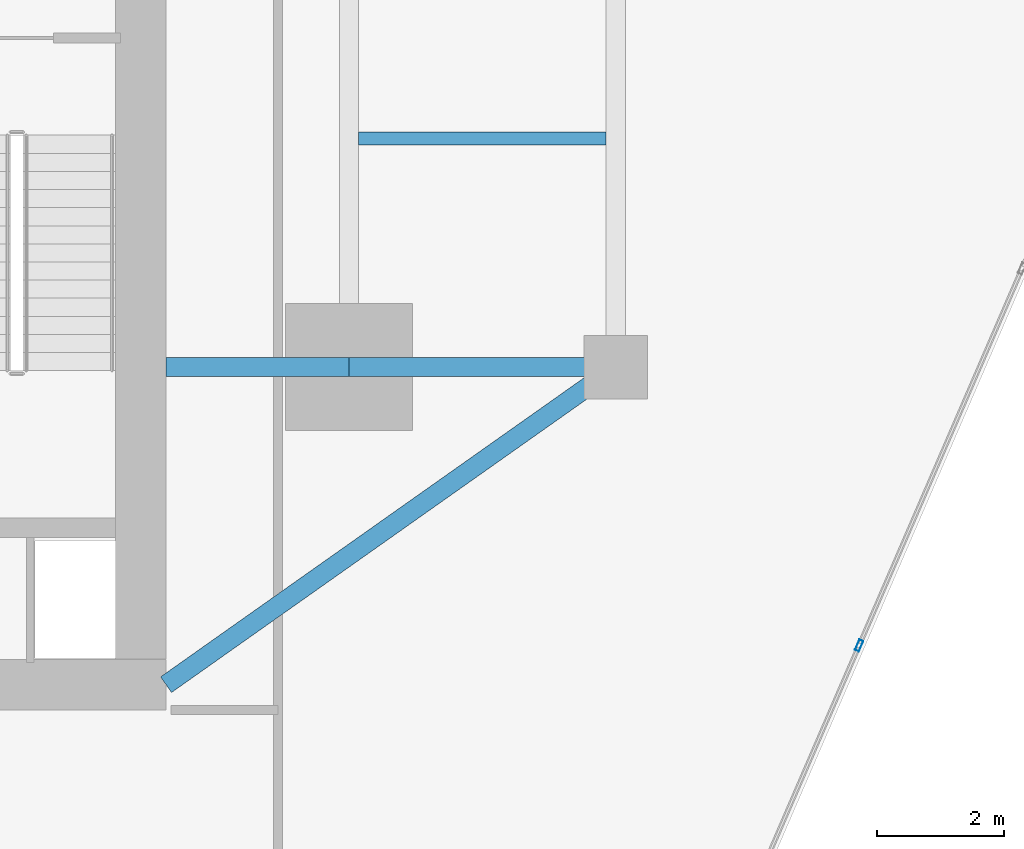
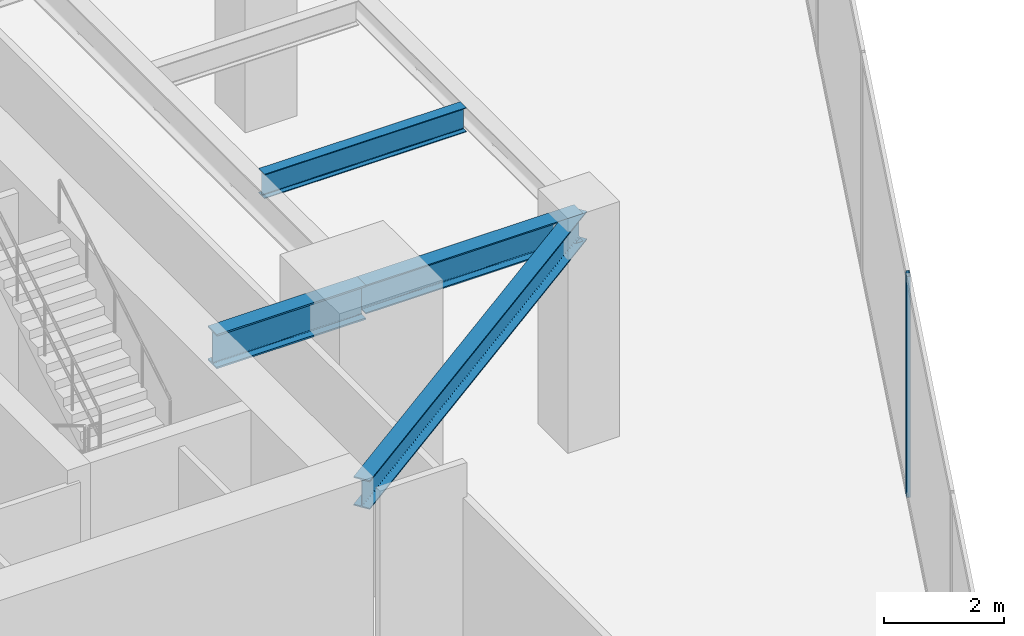
# One storey, part 9 of 24: 4 beams, 1 member, 1 element without a shape of its own.
"""IFC4 building model written with IfcOpenShell, lengths in metres."""

from ifc_helpers import new_model, si_unit, direction, frame, origin, origin_2d, place, context, subcontext, project, spatial, hollow_rectangle, i_section, extrude, source, transform, mapped, material, material_profile, profile_set, type_object, type_shapes, element, aggregate, save


model = new_model("IFC4")

# Units and contexts
model_context = context("Model", 3, precision=1e-05, world=origin(), true_north=direction((0.0, 1.0)))
body_context = subcontext(model_context, "Body", "Model", "MODEL_VIEW")
ifc_project = project(units=[si_unit("LENGTHUNIT", "METRE"), si_unit("AREAUNIT", "SQUARE_METRE"), si_unit("VOLUMEUNIT", "CUBIC_METRE"), si_unit("PLANEANGLEUNIT", "RADIAN"), si_unit("MASSUNIT", "GRAM", prefix="KILO")], contexts=[model_context])

# Site, building, storey
site_placement = place(None, origin())
site = spatial("IfcSite", under=ifc_project, at=site_placement, CompositionType="ELEMENT")
building_placement = place(site_placement, origin())
building = spatial("IfcBuilding", under=site, at=building_placement, Name="Krantzveldt Concourse Tower", CompositionType="ELEMENT")
storey_placement = place(building_placement, frame((0.0, 0.0, 141.39990234375)))
storey = spatial("IfcBuildingStorey", under=building, at=storey_placement, Name="L34", CompositionType="ELEMENT", Elevation=141.39990234375)

# Beams
ifc_material_1 = material(Name="Steel S355J2", Category="steel")
ifc_material_profile_1 = material_profile(ifc_material_1, i_section(OverallWidth=0.300048828125, OverallDepth=0.699951171875, WebThickness=0.01708984375, FlangeThickness=0.031982421875, FilletRadius=0.027099609375, at=origin_2d()), Name="Steel S355J2", Category="steel")
ifc_profile_set_1 = profile_set([ifc_material_profile_1], Name="Steel S355J2 - HEB 700")
beam_type_1 = type_object("IfcBeamType", Name="BM-B-HEB700", PredefinedType="BEAM", material=ifc_profile_set_1)
shared_shape_1 = source(origin(), body_context, "Body", "SweptSolid", [
    extrude(i_section(OverallWidth=0.300048828125, OverallDepth=0.699951171875, WebThickness=0.01708984375, FlangeThickness=0.031982421875, FilletRadius=0.027099609375, at=origin_2d()), origin(), (0.0, 0.0, 1.0), 2.880126953125),
])
type_shapes(beam_type_1, [shared_shape_1])
beam_1_placement = place(storey_placement, frame((43.919921875, 15.89990234375, 4.170166015625), z_axis=(1.0, 0.0, 0.0), x_axis=(0.0, 1.0, 0.0)))
element("IfcBeam", 1, at=beam_1_placement, inside=storey, type_object=beam_type_1, Name="L34 Tower Girder BG-CE1", PredefinedType="BEAM", context=body_context, shape_type="MappedRepresentation", body=[
    mapped(shared_shape_1, transform((0.0, 0.0, 0.0), x_axis=(1.0, 0.0, 0.0), y_axis=(0.0, 1.0, 0.0), z_axis=(0.0, 0.0, 1.0), scale=1.0)),
])
ifc_material_2 = material(Name="Steel S355JR", Category="steel")
ifc_material_profile_2 = material_profile(ifc_material_2, i_section(OverallWidth=0.300048828125, OverallDepth=0.590087890625, WebThickness=0.012939453125, FlangeThickness=0.02490234375, FilletRadius=0.027099609375, at=origin_2d()), Name="Steel S355JR", Category="steel")
ifc_profile_set_2 = profile_set([ifc_material_profile_2], Name="Steel S355JR - HEA 600")
beam_type_2 = type_object("IfcBeamType", Name="BM-B-HEA600", PredefinedType="BEAM", material=ifc_profile_set_2)
shared_shape_2 = source(origin(), body_context, "Body", "SweptSolid", [
    extrude(i_section(OverallWidth=0.300048828125, OverallDepth=0.590087890625, WebThickness=0.012939453125, FlangeThickness=0.02490234375, FilletRadius=0.027099609375, at=origin_2d()), origin(), (0.0, 0.0, 1.0), 4.199951171875),
])
beam_2_placement = place(storey_placement, frame((46.800048828125, 15.89990234375, 4.22509765625), z_axis=(1.0, 0.0, 0.0), x_axis=(0.0, 1.0, 0.0)))
element("IfcBeam", 2, at=beam_2_placement, inside=storey, type_object=beam_type_2, Name="L34 Tower Girder BR-RR1", PredefinedType="BEAM", context=body_context, shape_type="MappedRepresentation", body=[
    mapped(shared_shape_2, transform((0.0, 0.0, 0.0), x_axis=(1.0, 0.0, 0.0), y_axis=(0.0, 1.0, 0.0), z_axis=(0.0, 0.0, 1.0), scale=1.0)),
])
shared_shape_3 = source(origin(), body_context, "Body", "SweptSolid", [
    extrude(i_section(OverallWidth=0.300048828125, OverallDepth=0.590087890625, WebThickness=0.012939453125, FlangeThickness=0.02490234375, FilletRadius=0.027099609375, at=origin_2d()), origin(), (0.0, 0.0, 1.0), 8.667724609375),
])
type_shapes(beam_type_2, [shared_shape_2, shared_shape_3])
beam_3_placement = place(storey_placement, frame((51.0, 15.89990234375, 4.22509765625), z_axis=(-0.81684294656, -0.576860122261, 0.0), x_axis=(0.576860122261, -0.81684294656, 0.0)))
element("IfcBeam", 3, at=beam_3_placement, inside=storey, type_object=beam_type_2, Name="L34 Tower Girder BR-CSE", PredefinedType="BEAM", context=body_context, shape_type="MappedRepresentation", body=[
    mapped(shared_shape_3, transform((0.0, 0.0, 0.0), x_axis=(1.0, 0.0, 0.0), y_axis=(0.0, 1.0, 0.0), z_axis=(0.0, 0.0, 1.0), scale=1.0)),
])
ifc_material_profile_3 = material_profile(ifc_material_2, i_section(OverallWidth=0.199951171875, OverallDepth=0.5, WebThickness=0.01025390625, FlangeThickness=0.01611328125, FilletRadius=0.02099609375, at=origin_2d()), Name="Steel S355JR", Category="steel")
ifc_profile_set_3 = profile_set([ifc_material_profile_3], Name="Steel S355JR - IPE 500")
beam_type_3 = type_object("IfcBeamType", Name="BM-J-IPE500", PredefinedType="JOIST", material=ifc_profile_set_3)
shared_shape_4 = source(origin(), body_context, "Body", "SweptSolid", [
    extrude(i_section(OverallWidth=0.199951171875, OverallDepth=0.5, WebThickness=0.01025390625, FlangeThickness=0.01611328125, FilletRadius=0.02099609375, at=origin_2d()), origin(), (0.0, 0.0, 1.0), 3.900146484375),
])
type_shapes(beam_type_3, [shared_shape_4])
beam_4_placement = place(storey_placement, frame((46.949951171875, 19.5, 4.27001953125), z_axis=(1.0, 0.0, 0.0), x_axis=(0.0, 1.0, 0.0)))
element("IfcBeam", 4, at=beam_4_placement, inside=storey, type_object=beam_type_3, Name="L34 Secondary Floor Joist JE-1", PredefinedType="JOIST", context=body_context, shape_type="MappedRepresentation", body=[
    mapped(shared_shape_4, transform((0.0, 0.0, 0.0), x_axis=(1.0, 0.0, 0.0), y_axis=(0.0, 1.0, 0.0), z_axis=(0.0, 0.0, 1.0), scale=1.0)),
])

# Curtain wall, member
ifc_material_3 = material(Name="Anodised aluminium 6063-T6", Category="aluminium")
curtain_wall_type = type_object("IfcCurtainWallType", Name="CW5", PredefinedType="USERDEFINED", material=ifc_material_3)
curtain_wall_placement = place(storey_placement, origin())
curtain_wall = element("IfcCurtainWall", 5, at=curtain_wall_placement, inside=storey, type_object=curtain_wall_type, Name="CW-L34-F07", ObjectType="UNITISED CURTAIN WALL", PredefinedType="USERDEFINED")
ifc_material_profile_4 = material_profile(ifc_material_3, hollow_rectangle(XDim=0.070068359375, YDim=0.179931640625, WallThickness=0.0048828125, at=origin_2d()), Name="Anodised aluminium 6063-T6", Category="aluminium")
ifc_profile_set_4 = profile_set([ifc_material_profile_4], Name="Anodised aluminium 6063-T6 - ALU-MULL 180x70x5")
member_type = type_object("IfcMemberType", Name="CW-MUL-180", PredefinedType="MULLION", material=ifc_profile_set_4)
shared_shape_5 = source(origin(), body_context, "Body", "SweptSolid", [
    extrude(hollow_rectangle(XDim=0.070068359375, YDim=0.179931640625, WallThickness=0.0048828125, at=origin_2d()), origin(), (0.0, 0.0, 1.0), 4.52001953125),
])
type_shapes(member_type, [shared_shape_5])
member_placement = place(storey_placement, frame((54.831298828125, 11.515869140625, 0.0), z_axis=(0.0, 0.0, 1.0), x_axis=(-0.917927822306, 0.396747417177, 0.0)))
member = element("IfcMember", 6, at=member_placement, type_object=member_type, Name="CW-SKY mullion 3", PredefinedType="MULLION", context=body_context, shape_type="MappedRepresentation", body=[
    mapped(shared_shape_5, transform((0.0, 0.0, 0.0), x_axis=(1.0, 0.0, 0.0), y_axis=(0.0, 1.0, 0.0), z_axis=(0.0, 0.0, 1.0), scale=1.0)),
])
aggregate(curtain_wall, [member])

save(model, "model.ifc")
